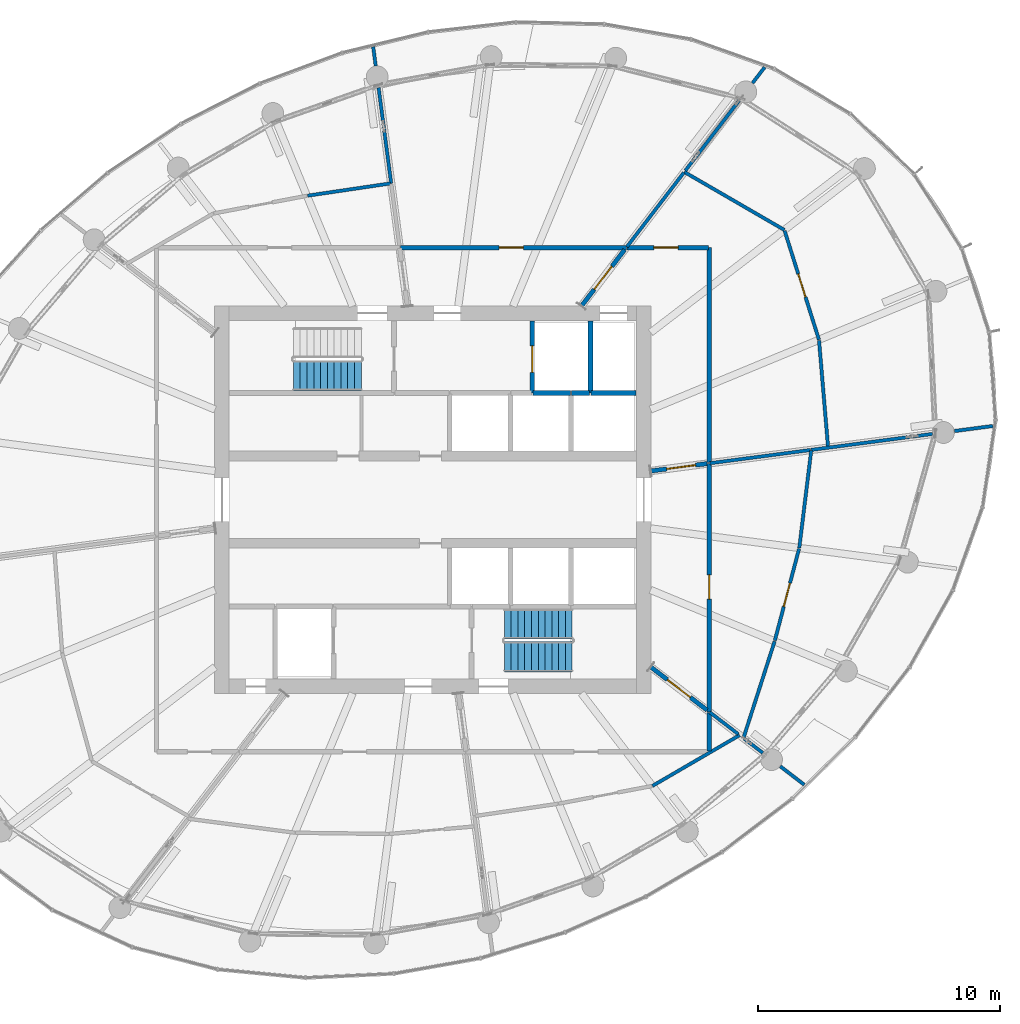
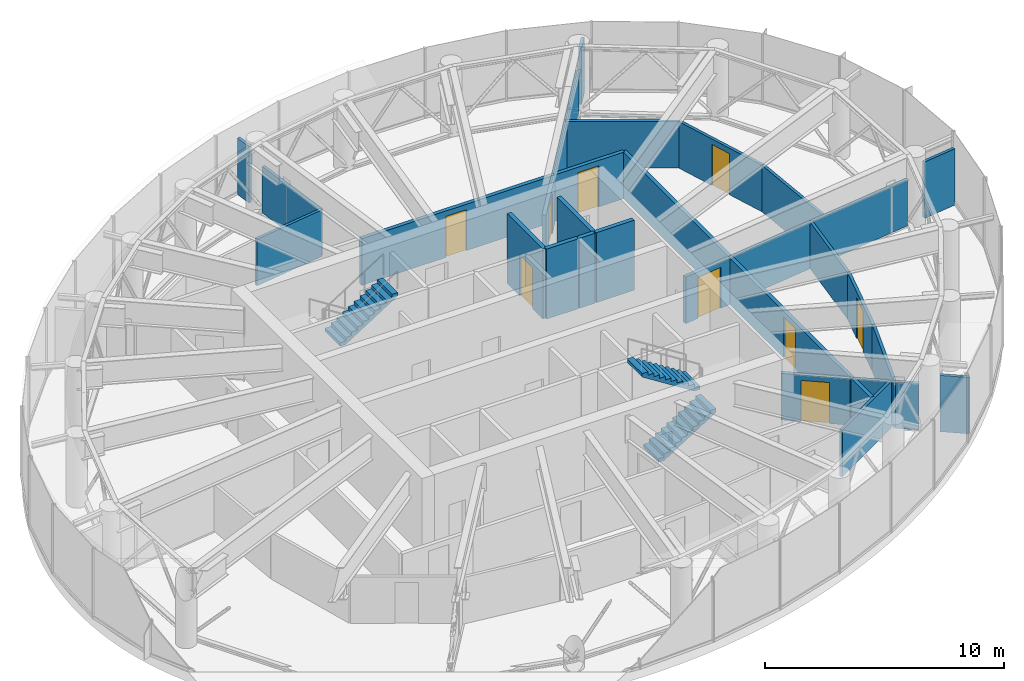
# One storey, part 18 of 26: 32 walls, 9 doors, 3 stair flights, 9 openings, 2 elements without a shape of their own.
"""IFC4 building model written with IfcOpenShell, lengths in metres."""

from ifc_helpers import new_model, si_unit, direction, frame, frame_2d, origin, place, context, subcontext, project, spatial, line, indexed_curve, rectangle, outline, extrude, source, transform, mapped, material, layer, layer_set, type_object, element, fill, aggregate, save


model = new_model("IFC4")

# Units and contexts
model_context = context("Model", 3, precision=1e-05, world=origin(), true_north=direction((0.0, 1.0)))
body_context = subcontext(model_context, "Body", "Model", "MODEL_VIEW")
ifc_project = project(units=[si_unit("LENGTHUNIT", "METRE"), si_unit("AREAUNIT", "SQUARE_METRE"), si_unit("VOLUMEUNIT", "CUBIC_METRE"), si_unit("PLANEANGLEUNIT", "RADIAN"), si_unit("MASSUNIT", "GRAM", prefix="KILO")], contexts=[model_context])

# Site, building, storey
site_placement = place(None, origin())
site = spatial("IfcSite", under=ifc_project, at=site_placement, CompositionType="ELEMENT")
building_placement = place(site_placement, origin())
building = spatial("IfcBuilding", under=site, at=building_placement, Name="Spindrift Exchange Tower", CompositionType="ELEMENT")
storey_placement = place(building_placement, frame((0.0, 0.0, 230.60009765625)))
storey = spatial("IfcBuildingStorey", under=building, at=storey_placement, Name="L56", CompositionType="ELEMENT", Elevation=230.60009765625)

# Wall, opening, door
ifc_material_1 = material(Name="Fire-rated plasterboard partition", Category="gypsum")
ifc_layer_1 = layer(ifc_material_1, 0.179931640625)
ifc_layer_set_1 = layer_set([ifc_layer_1], Name="W-CORR-180-SOFFIT")
wall_type_1 = type_object("IfcWallType", Name="W-CORR-180-SOFFIT", PredefinedType="PARTITIONING", material=ifc_layer_set_1)
wall_1_placement = place(storey_placement, frame((63.31005859375, 39.321533203125, 0.0), z_axis=(0.0, 0.0, 1.0), x_axis=(-0.793371480341, 0.608737787706, 0.0)))
wall_1 = element("IfcWall", 1, at=wall_1_placement, inside=storey, type_object=wall_type_1, Name="L56 Partition wall 39", PredefinedType="PARTITIONING", context=body_context, shape_type="SweptSolid", body=[
    extrude(rectangle(XDim=2.91162109375, YDim=0.179931640625, at=frame_2d((1.455810546875, 0.0))), origin(), (0.0, 0.0, 1.0), 2.3798828125),
])
opening_1_placement = place(wall_1_placement, frame((0.86181640625, 0.0, 0.0)))
opening_1 = element("IfcOpeningElement", 2, at=opening_1_placement, cuts=wall_1, Name="Opening L56-D33", PredefinedType="OPENING", context=body_context, shape_type="SweptSolid", body=[
    extrude(rectangle(XDim=1.199951171875, YDim=2.10009765625, at=frame_2d((0.60009765625, 1.050048828125))), frame((0.0, 0.099853515625, 0.0), z_axis=(0.0, -1.0, 0.0), x_axis=(1.0, 0.0, 0.0)), (0.0, 0.0, 1.0), 0.199951171875),
])
ifc_material_2 = material(Name="Steel fire door", Category="steel")
door_type_1 = type_object("IfcDoorType", Name="DR-PLANT-1200", OperationType="NOTDEFINED", PredefinedType="DOOR", material=ifc_material_2)
shared_shape_1 = source(origin(), body_context, "Body", "SweptSolid", [
    extrude(rectangle(XDim=1.199951171875, YDim=2.10009765625, at=frame_2d((0.60009765625, 1.050048828125))), frame((0.0, 0.02490234375, 0.0), z_axis=(0.0, -1.0, 0.0), x_axis=(1.0, 0.0, 0.0)), (0.0, 0.0, 1.0), 0.050048828125),
])
door_1_placement = place(opening_1_placement, origin())
door_1 = element("IfcDoor", 3, at=door_1_placement, inside=storey, type_object=door_type_1, Name="L56 Plant room door 33", OperationType="SINGLE_SWING_LEFT", OverallHeight=2.10009765625, OverallWidth=1.199951171875, PredefinedType="DOOR", context=body_context, shape_type="MappedRepresentation", body=[
    mapped(shared_shape_1, transform((0.0, 0.0, 0.0), scale=1.0)),
])
fill(opening_1, door_1)

wall_2_placement = place(storey_placement, frame((59.9111328125, 58.31005859375, 0.0), z_axis=(0.0, 0.0, 1.0), x_axis=(-0.608737787706, -0.793371480341, 0.0)))
wall_2 = element("IfcWall", 4, at=wall_2_placement, inside=storey, type_object=wall_type_1, Name="L56 Partition wall 40", PredefinedType="PARTITIONING", context=body_context, shape_type="SweptSolid", body=[
    extrude(rectangle(XDim=2.91162109375, YDim=0.179931640625, at=frame_2d((1.455810546875, 0.0))), origin(), (0.0, 0.0, 1.0), 2.3798828125),
])
opening_2_placement = place(wall_2_placement, frame((0.86181640625, 0.0, 0.0)))
opening_2 = element("IfcOpeningElement", 5, at=opening_2_placement, cuts=wall_2, Name="Opening L56-D27", PredefinedType="OPENING", context=body_context, shape_type="SweptSolid", body=[
    extrude(rectangle(XDim=1.199951171875, YDim=2.10009765625, at=frame_2d((0.60009765625, 1.050048828125))), frame((0.0, 0.099853515625, 0.0), z_axis=(0.0, -1.0, 0.0), x_axis=(1.0, 0.0, 0.0)), (0.0, 0.0, 1.0), 0.199951171875),
])
door_2_placement = place(opening_2_placement, origin())
door_2 = element("IfcDoor", 6, at=door_2_placement, inside=storey, type_object=door_type_1, Name="L56 Plant room door 27", OperationType="SINGLE_SWING_LEFT", OverallHeight=2.10009765625, OverallWidth=1.199951171875, PredefinedType="DOOR", context=body_context, shape_type="MappedRepresentation", body=[
    mapped(shared_shape_1, transform((0.0, 0.0, 0.0), scale=1.0)),
])
fill(opening_2, door_2)

wall_3_placement = place(storey_placement, frame((63.31005859375, 49.489013671875, 0.0), z_axis=(0.0, 0.0, 1.0), x_axis=(-0.991440737811, -0.130557509967, 0.0)))
wall_3 = element("IfcWall", 7, at=wall_3_placement, inside=storey, type_object=wall_type_1, Name="L56 Partition wall 44", PredefinedType="PARTITIONING", context=body_context, shape_type="SweptSolid", body=[
    extrude(rectangle(XDim=2.330078125, YDim=0.179931640625, at=frame_2d((1.1650390625, 0.0))), origin(), (0.0, 0.0, 1.0), 2.3798828125),
])
opening_3_placement = place(wall_3_placement, frame((0.47998046875, 0.0, 0.0)))
opening_3 = element("IfcOpeningElement", 8, at=opening_3_placement, cuts=wall_3, Name="Opening L56-D34", PredefinedType="OPENING", context=body_context, shape_type="SweptSolid", body=[
    extrude(rectangle(XDim=1.199951171875, YDim=2.10009765625, at=frame_2d((0.60009765625, 1.050048828125))), frame((0.0, 0.099853515625, 0.0), z_axis=(0.0, -1.0, 0.0), x_axis=(1.0, 0.0, 0.0)), (0.0, 0.0, 1.0), 0.199951171875),
])
door_3_placement = place(opening_3_placement, origin())
door_3 = element("IfcDoor", 9, at=door_3_placement, inside=storey, type_object=door_type_1, Name="L56 Plant room door 34", OperationType="SINGLE_SWING_RIGHT", OverallHeight=2.10009765625, OverallWidth=1.199951171875, PredefinedType="DOOR", context=body_context, shape_type="MappedRepresentation", body=[
    mapped(shared_shape_1, transform((0.0, 0.0, 0.0), scale=1.0)),
])
fill(opening_3, door_3)

# Walls
ifc_layer_2 = layer(ifc_material_1, 0.139892578125)
ifc_layer_set_2 = layer_set([ifc_layer_2], Name="W-PLANT-140")
wall_type_2 = type_object("IfcWallType", Name="W-PLANT-140", PredefinedType="PARTITIONING", material=ifc_layer_set_2)
wall_4_placement = place(storey_placement, frame((73.512939453125, 50.832275390625, 0.0), z_axis=(0.0, 0.0, 1.0), x_axis=(0.991448052913, 0.130501947779, 0.0)))
element("IfcWall", 10, at=wall_4_placement, inside=storey, type_object=wall_type_2, Name="L56 Partition wall 78", PredefinedType="PARTITIONING", context=body_context, shape_type="SweptSolid", body=[
    extrude(rectangle(XDim=1.59765625, YDim=0.139892578125, at=frame_2d((0.798828125, 0.0))), origin(), (0.0, 0.0, 1.0), 2.8798828125),
])
wall_5_placement = place(storey_placement, frame((66.33154296875, 37.0029296875, 0.0), z_axis=(0.0, 0.0, 1.0), x_axis=(0.793408114576, -0.608690039121, 0.0)))
element("IfcWall", 11, at=wall_5_placement, inside=storey, type_object=wall_type_2, Name="L56 Partition wall 82", PredefinedType="PARTITIONING", context=body_context, shape_type="SweptSolid", body=[
    extrude(rectangle(XDim=1.2490234375, YDim=0.139892578125, at=frame_2d((0.62451171875, 0.0))), origin(), (0.0, 0.0, 1.0), 2.8798828125),
])
wall_6_placement = place(storey_placement, frame((65.185546875, 65.18359375, 0.0), z_axis=(0.0, 0.0, 1.0), x_axis=(0.608636710057, 0.793449024936, 0.0)))
element("IfcWall", 12, at=wall_6_placement, inside=storey, type_object=wall_type_2, Name="L56 Partition wall 86", PredefinedType="PARTITIONING", context=body_context, shape_type="SweptSolid", body=[
    extrude(rectangle(XDim=0.82421875, YDim=0.139892578125, at=frame_2d((0.412109375, 0.0))), origin(), (0.0, 0.0, 1.0), 2.8798828125),
])
wall_7_placement = place(storey_placement, frame((49.644287109375, 65.89306640625, 0.0), z_axis=(0.0, 0.0, 1.0), x_axis=(-0.130414823496, 0.991459516981, 0.0)))
element("IfcWall", 13, at=wall_7_placement, inside=storey, type_object=wall_type_2, Name="L56 Partition wall 88", PredefinedType="PARTITIONING", context=body_context, shape_type="SweptSolid", body=[
    extrude(rectangle(XDim=0.795654296875, YDim=0.139892578125, at=frame_2d((0.39794921875, 0.0))), origin(), (0.0, 0.0, 1.0), 2.8798828125),
])
ifc_layer_3 = layer(ifc_material_1, 0.139892578125)
ifc_layer_set_3 = layer_set([ifc_layer_3], Name="W-PLANT-140-SOFFIT")
wall_type_3 = type_object("IfcWallType", Name="W-PLANT-140-SOFFIT", PredefinedType="PARTITIONING", material=ifc_layer_set_3)
wall_8_placement = place(storey_placement, frame((67.61083984375, 50.05517578125, 0.0), z_axis=(0.0, 0.0, 1.0), x_axis=(0.991443419201, 0.130537146143, 0.0)))
element("IfcWall", 14, at=wall_8_placement, inside=storey, type_object=wall_type_3, Name="L56 Partition wall 48", PredefinedType="PARTITIONING", context=body_context, shape_type="SweptSolid", body=[
    extrude(rectangle(XDim=5.044189453125, YDim=0.139892578125, at=frame_2d((2.52197265625, 0.0))), origin(), (0.0, 0.0, 1.0), 2.3798828125),
])
wall_9_placement = place(storey_placement, frame((63.4296875, 49.5048828125, 0.0), z_axis=(0.0, 0.0, 1.0), x_axis=(0.991450524652, 0.130483168137, 0.0)))
element("IfcWall", 15, at=wall_9_placement, inside=storey, type_object=wall_type_3, Name="L56 Partition wall 49", PredefinedType="PARTITIONING", context=body_context, shape_type="SweptSolid", body=[
    extrude(rectangle(XDim=4.1875, YDim=0.139892578125, at=frame_2d((2.09375, 0.0))), origin(), (0.0, 0.0, 1.0), 2.3798828125),
])
wall_10_placement = place(storey_placement, frame((66.50048828125, 59.126708984375, 0.0), z_axis=(0.0, 0.0, 1.0), x_axis=(-0.865241683045, 0.501354993914, 0.0)))
element("IfcWall", 16, at=wall_10_placement, inside=storey, type_object=wall_type_3, Name="L56 Partition wall 50", PredefinedType="PARTITIONING", context=body_context, shape_type="SweptSolid", body=[
    extrude(rectangle(XDim=4.770263671875, YDim=0.139892578125, at=frame_2d((2.38525390625, 0.0))), origin(), (0.0, 0.0, 1.0), 2.3798828125),
])

# Wall, opening, door
wall_11_placement = place(storey_placement, frame((66.509521484375, 59.09814453125, 0.0), z_axis=(0.0, 0.0, 1.0), x_axis=(0.300539528674, -0.953769359806, 0.0)))
wall_11 = element("IfcWall", 17, at=wall_11_placement, inside=storey, type_object=wall_type_3, Name="L56 Partition wall 51", PredefinedType="PARTITIONING", context=body_context, shape_type="SweptSolid", body=[
    extrude(rectangle(XDim=4.718994140625, YDim=0.139892578125, at=frame_2d((2.359375, 0.0))), origin(), (0.0, 0.0, 1.0), 2.3798828125),
])
opening_4_placement = place(wall_11_placement, frame((1.868896484375, 0.0, 0.0)))
opening_4 = element("IfcOpeningElement", 18, at=opening_4_placement, cuts=wall_11, Name="Opening L56-D14", PredefinedType="OPENING", context=body_context, shape_type="SweptSolid", body=[
    extrude(rectangle(XDim=1.0, YDim=2.10009765625, at=frame_2d((0.5, 1.050048828125))), frame((0.0, 0.079833984375, 0.0), z_axis=(0.0, -1.0, 0.0), x_axis=(1.0, 0.0, 0.0)), (0.0, 0.0, 1.0), 0.159912109375),
])
ifc_material_3 = material(Name="Timber-core fire door", Category="wood")
door_type_2 = type_object("IfcDoorType", Name="DR-ROOM-1000", OperationType="NOTDEFINED", PredefinedType="DOOR", material=ifc_material_3)
shared_shape_2 = source(origin(), body_context, "Body", "SweptSolid", [
    extrude(rectangle(XDim=1.0, YDim=2.10009765625, at=frame_2d((0.5, 1.050048828125))), frame((0.0, 0.02490234375, 0.0), z_axis=(0.0, -1.0, 0.0), x_axis=(1.0, 0.0, 0.0)), (0.0, 0.0, 1.0), 0.050048828125),
])
door_4_placement = place(opening_4_placement, origin())
door_4 = element("IfcDoor", 19, at=door_4_placement, inside=storey, type_object=door_type_2, Name="L56 Door 14", OperationType="SINGLE_SWING_RIGHT", OverallHeight=2.10009765625, OverallWidth=1.0, PredefinedType="DOOR", context=body_context, shape_type="MappedRepresentation", body=[
    mapped(shared_shape_2, transform((0.0, 0.0, 0.0), scale=1.0)),
])
fill(opening_4, door_4)

# Walls
wall_12_placement = place(storey_placement, frame((68.29833984375, 50.21630859375, 0.0), z_axis=(0.0, 0.0, 1.0), x_axis=(-0.084308537488, 0.996439697376, 0.0)))
element("IfcWall", 20, at=wall_12_placement, inside=storey, type_object=wall_type_3, Name="L56 Partition wall 54", PredefinedType="PARTITIONING", context=body_context, shape_type="SweptSolid", body=[
    extrude(rectangle(XDim=4.366943359375, YDim=0.139892578125, at=frame_2d((2.18359375, 0.0))), origin(), (0.0, 0.0, 1.0), 2.3798828125),
])
wall_13_placement = place(storey_placement, frame((64.81201171875, 38.1689453125, 0.0), z_axis=(0.0, 0.0, 1.0), x_axis=(0.306815660153, 0.951768958668, 0.0)))
element("IfcWall", 21, at=wall_13_placement, inside=storey, type_object=wall_type_3, Name="L56 Partition wall 58", PredefinedType="PARTITIONING", context=body_context, shape_type="SweptSolid", body=[
    extrude(rectangle(XDim=4.193359375, YDim=0.139892578125, at=frame_2d((2.0966796875, 0.0))), origin(), (0.0, 0.0, 1.0), 2.3798828125),
])
wall_14_placement = place(storey_placement, frame((61.05810546875, 36.195068359375, 0.0), z_axis=(0.0, 0.0, 1.0), x_axis=(0.864208311026, 0.503134172118, 0.0)))
element("IfcWall", 22, at=wall_14_placement, inside=storey, type_object=wall_type_3, Name="L56 Partition wall 60", PredefinedType="PARTITIONING", context=body_context, shape_type="SweptSolid", body=[
    extrude(rectangle(XDim=4.162353515625, YDim=0.139892578125, at=frame_2d((2.0810546875, 0.0))), origin(), (0.0, 0.0, 1.0), 2.3798828125),
])
wall_15_placement = place(storey_placement, frame((67.114990234375, 46.010009765625, 0.0), z_axis=(0.0, 0.0, 1.0), x_axis=(0.121724415308, 0.992563935834, 0.0)))
element("IfcWall", 23, at=wall_15_placement, inside=storey, type_object=wall_type_3, Name="L56 Partition wall 61", PredefinedType="PARTITIONING", context=body_context, shape_type="SweptSolid", body=[
    extrude(rectangle(XDim=4.04541015625, YDim=0.139892578125, at=frame_2d((2.022705078125, 0.0))), origin(), (0.0, 0.0, 1.0), 2.3798828125),
])

# Wall, opening, door
wall_16_placement = place(storey_placement, frame((67.107421875, 45.981201171875, 0.0), z_axis=(0.0, 0.0, 1.0), x_axis=(-0.255286819114, -0.966865368077, 0.0)))
wall_16 = element("IfcWall", 24, at=wall_16_placement, inside=storey, type_object=wall_type_3, Name="L56 Partition wall 62", PredefinedType="PARTITIONING", context=body_context, shape_type="SweptSolid", body=[
    extrude(rectangle(XDim=3.921875, YDim=0.139892578125, at=frame_2d((1.9609375, 0.0))), origin(), (0.0, 0.0, 1.0), 2.3798828125),
])
opening_5_placement = place(wall_16_placement, frame((1.471923828125, 0.0, 0.0)))
opening_5 = element("IfcOpeningElement", 25, at=opening_5_placement, cuts=wall_16, Name="Opening L56-D26", PredefinedType="OPENING", context=body_context, shape_type="SweptSolid", body=[
    extrude(rectangle(XDim=1.0, YDim=2.10009765625, at=frame_2d((0.5, 1.050048828125))), frame((0.0, 0.079833984375, 0.0), z_axis=(0.0, -1.0, 0.0), x_axis=(1.0, 0.0, 0.0)), (0.0, 0.0, 1.0), 0.159912109375),
])
door_5_placement = place(opening_5_placement, origin())
door_5 = element("IfcDoor", 26, at=door_5_placement, inside=storey, type_object=door_type_2, Name="L56 Door 26", OperationType="SINGLE_SWING_RIGHT", OverallHeight=2.10009765625, OverallWidth=1.0, PredefinedType="DOOR", context=body_context, shape_type="MappedRepresentation", body=[
    mapped(shared_shape_2, transform((0.0, 0.0, 0.0), scale=1.0)),
])
fill(opening_5, door_5)

# Walls
wall_17_placement = place(storey_placement, frame((50.281982421875, 61.05029296875, 0.0), z_axis=(0.0, 0.0, 1.0), x_axis=(-0.130554588204, 0.991441122558, 0.0)))
element("IfcWall", 27, at=wall_17_placement, inside=storey, type_object=wall_type_3, Name="L56 Partition wall 64", PredefinedType="PARTITIONING", context=body_context, shape_type="SweptSolid", body=[
    extrude(rectangle(XDim=3.9755859375, YDim=0.139892578125, at=frame_2d((1.98779296875, 0.0))), origin(), (0.0, 0.0, 1.0), 2.3798828125),
])
wall_18_placement = place(storey_placement, frame((60.00244140625, 58.428955078125, 0.0), z_axis=(0.0, 0.0, 1.0), x_axis=(0.608748505227, 0.79336325689, 0.0)))
element("IfcWall", 28, at=wall_18_placement, inside=storey, type_object=wall_type_3, Name="L56 Partition wall 67", PredefinedType="PARTITIONING", context=body_context, shape_type="SweptSolid", body=[
    extrude(rectangle(XDim=3.8642578125, YDim=0.139892578125, at=frame_2d((1.93212890625, 0.0))), origin(), (0.0, 0.0, 1.0), 2.3798828125),
])
wall_19_placement = place(storey_placement, frame((62.416015625, 61.574462890625, 0.0), z_axis=(0.0, 0.0, 1.0), x_axis=(0.608773631009, 0.793343977218, 0.0)))
element("IfcWall", 29, at=wall_19_placement, inside=storey, type_object=wall_type_3, Name="L56 Partition wall 69", PredefinedType="PARTITIONING", context=body_context, shape_type="SweptSolid", body=[
    extrude(rectangle(XDim=3.64013671875, YDim=0.139892578125, at=frame_2d((1.820068359375, 0.0))), origin(), (0.0, 0.0, 1.0), 2.3798828125),
])
wall_20_placement = place(storey_placement, frame((50.252197265625, 61.0458984375, 0.0), z_axis=(0.0, 0.0, 1.0), x_axis=(-0.989248976664, -0.146241109711, 0.0)))
element("IfcWall", 30, at=wall_20_placement, inside=storey, type_object=wall_type_3, Name="L56 Partition wall 72", PredefinedType="PARTITIONING", context=body_context, shape_type="SweptSolid", body=[
    extrude(rectangle(XDim=3.452392578125, YDim=0.139892578125, at=frame_2d((1.72607421875, 0.0))), origin(), (0.0, 0.0, 1.0), 2.3798828125),
])
wall_21_placement = place(storey_placement, frame((63.428955078125, 39.230224609375, 0.0), z_axis=(0.0, 0.0, 1.0), x_axis=(0.793395131444, -0.608706961847, 0.0)))
element("IfcWall", 31, at=wall_21_placement, inside=storey, type_object=wall_type_3, Name="L56 Partition wall 77", PredefinedType="PARTITIONING", context=body_context, shape_type="SweptSolid", body=[
    extrude(rectangle(XDim=1.469970703125, YDim=0.139892578125, at=frame_2d((0.73486328125, 0.0))), origin(), (0.0, 0.0, 1.0), 2.3798828125),
])
wall_22_placement = place(storey_placement, frame((64.8359375, 38.150634765625, 0.0), z_axis=(0.0, 0.0, 1.0), x_axis=(0.793348654177, -0.608767536023, 0.0)))
element("IfcWall", 32, at=wall_22_placement, inside=storey, type_object=wall_type_3, Name="L56 Partition wall 83", PredefinedType="PARTITIONING", context=body_context, shape_type="SweptSolid", body=[
    extrude(rectangle(XDim=0.97607421875, YDim=0.139892578125, at=frame_2d((0.488037109375, 0.0))), origin(), (0.0, 0.0, 1.0), 2.3798828125),
])

# Wall, opening, door
ifc_layer_4 = layer(ifc_material_1, 0.179931640625)
ifc_layer_set_4 = layer_set([ifc_layer_4], Name="W-PLANT-180-SOFFIT")
wall_type_4 = type_object("IfcWallType", Name="W-PLANT-180-SOFFIT", PredefinedType="PARTITIONING", material=ifc_layer_set_4)
wall_23_placement = place(storey_placement, frame((63.39990234375, 49.500732421875, 0.0), z_axis=(0.0, 0.0, 1.0), x_axis=(0.0, -1.0, 0.0)))
wall_23 = element("IfcWall", 33, at=wall_23_placement, inside=storey, type_object=wall_type_4, Name="L56 Partition wall 28", PredefinedType="PARTITIONING", context=body_context, shape_type="SweptSolid", body=[
    extrude(rectangle(XDim=10.248291015625, YDim=0.179931640625, at=frame_2d((5.1240234375, 0.0))), origin(), (0.0, 0.0, 1.0), 2.3798828125),
])
opening_6_placement = place(wall_23_placement, frame((4.598388671875, 0.0, 0.0)))
opening_6 = element("IfcOpeningElement", 34, at=opening_6_placement, cuts=wall_23, Name="Opening L56-D25", PredefinedType="OPENING", context=body_context, shape_type="SweptSolid", body=[
    extrude(rectangle(XDim=1.0, YDim=2.10009765625, at=frame_2d((0.5, 1.050048828125))), frame((0.0, 0.099853515625, 0.0), z_axis=(0.0, -1.0, 0.0), x_axis=(1.0, 0.0, 0.0)), (0.0, 0.0, 1.0), 0.199951171875),
])
door_6_placement = place(opening_6_placement, origin())
door_6 = element("IfcDoor", 35, at=door_6_placement, inside=storey, type_object=door_type_2, Name="L56 Door 25", OperationType="SINGLE_SWING_LEFT", OverallHeight=2.10009765625, OverallWidth=1.0, PredefinedType="DOOR", context=body_context, shape_type="MappedRepresentation", body=[
    mapped(shared_shape_2, transform((0.0, 0.0, 0.0), scale=1.0)),
])
fill(opening_6, door_6)

wall_24_placement = place(storey_placement, frame((50.660888671875, 58.39990234375, 0.0), z_axis=(0.0, 0.0, 1.0), x_axis=(1.0, 0.0, 0.0)))
wall_24 = element("IfcWall", 36, at=wall_24_placement, inside=storey, type_object=wall_type_4, Name="L56 Partition wall 32", PredefinedType="PARTITIONING", context=body_context, shape_type="SweptSolid", body=[
    extrude(rectangle(XDim=9.3193359375, YDim=0.179931640625, at=frame_2d((4.65966796875, 0.0))), origin(), (0.0, 0.0, 1.0), 2.3798828125),
])
opening_7_placement = place(wall_24_placement, frame((4.0693359375, 0.0, 0.0)))
opening_7 = element("IfcOpeningElement", 37, at=opening_7_placement, cuts=wall_24, Name="Opening L56-D15", PredefinedType="OPENING", context=body_context, shape_type="SweptSolid", body=[
    extrude(rectangle(XDim=1.0, YDim=2.10009765625, at=frame_2d((0.5, 1.050048828125))), frame((0.0, 0.099853515625, 0.0), z_axis=(0.0, -1.0, 0.0), x_axis=(1.0, 0.0, 0.0)), (0.0, 0.0, 1.0), 0.199951171875),
])
door_7_placement = place(opening_7_placement, origin())
door_7 = element("IfcDoor", 38, at=door_7_placement, inside=storey, type_object=door_type_2, Name="L56 Door 15", OperationType="SINGLE_SWING_LEFT", OverallHeight=2.10009765625, OverallWidth=1.0, PredefinedType="DOOR", context=body_context, shape_type="MappedRepresentation", body=[
    mapped(shared_shape_2, transform((0.0, 0.0, 0.0), scale=1.0)),
])
fill(opening_7, door_7)

# Wall
wall_25_placement = place(storey_placement, frame((63.39990234375, 49.53076171875, 0.0), z_axis=(0.0, 0.0, 1.0), x_axis=(0.0, 1.0, 0.0)))
element("IfcWall", 39, at=wall_25_placement, inside=storey, type_object=wall_type_4, Name="L56 Partition wall 34", PredefinedType="PARTITIONING", context=body_context, shape_type="SweptSolid", body=[
    extrude(rectangle(XDim=8.869140625, YDim=0.179931640625, at=frame_2d((4.4345703125, 0.0))), origin(), (0.0, 0.0, 1.0), 2.3798828125),
])

# Wall, opening, door
wall_26_placement = place(storey_placement, frame((60.01025390625, 58.39990234375, 0.0), z_axis=(0.0, 0.0, 1.0), x_axis=(1.0, 0.0, 0.0)))
wall_26 = element("IfcWall", 40, at=wall_26_placement, inside=storey, type_object=wall_type_4, Name="L56 Partition wall 35", PredefinedType="PARTITIONING", context=body_context, shape_type="SweptSolid", body=[
    extrude(rectangle(XDim=3.35986328125, YDim=0.179931640625, at=frame_2d((1.679931640625, 0.0))), origin(), (0.0, 0.0, 1.0), 2.3798828125),
])
opening_8_placement = place(wall_26_placement, frame((1.10986328125, 0.0, 0.0)))
opening_8 = element("IfcOpeningElement", 41, at=opening_8_placement, cuts=wall_26, Name="Opening L56-D13", PredefinedType="OPENING", context=body_context, shape_type="SweptSolid", body=[
    extrude(rectangle(XDim=1.0, YDim=2.10009765625, at=frame_2d((0.5, 1.050048828125))), frame((0.0, 0.099853515625, 0.0), z_axis=(0.0, -1.0, 0.0), x_axis=(1.0, 0.0, 0.0)), (0.0, 0.0, 1.0), 0.199951171875),
])
door_8_placement = place(opening_8_placement, origin())
door_8 = element("IfcDoor", 42, at=door_8_placement, inside=storey, type_object=door_type_2, Name="L56 Door 13", OperationType="SINGLE_SWING_LEFT", OverallHeight=2.10009765625, OverallWidth=1.0, PredefinedType="DOOR", context=body_context, shape_type="MappedRepresentation", body=[
    mapped(shared_shape_2, transform((0.0, 0.0, 0.0), scale=1.0)),
])
fill(opening_8, door_8)

# Wall
wall_27_placement = place(storey_placement, frame((63.39990234375, 37.6298828125, 0.0), z_axis=(0.0, 0.0, 1.0), x_axis=(0.0, 1.0, 0.0)))
element("IfcWall", 43, at=wall_27_placement, inside=storey, type_object=wall_type_4, Name="L56 Partition wall 46", PredefinedType="PARTITIONING", context=body_context, shape_type="SweptSolid", body=[
    extrude(rectangle(XDim=1.592529296875, YDim=0.179931640625, at=frame_2d((0.79638671875, 0.0))), origin(), (0.0, 0.0, 1.0), 2.3798828125),
])

# Wall, opening, door
ifc_material_4 = material(Name="Concrete 40 MPa", Category="concrete")
ifc_layer_5 = layer(ifc_material_4, 0.199951171875)
ifc_layer_set_5 = layer_set([ifc_layer_5], Name="W-SHAFT-200")
wall_type_5 = type_object("IfcWallType", Name="W-SHAFT-200", PredefinedType="SOLIDWALL", material=ifc_layer_set_5)
wall_28_placement = place(storey_placement, frame((56.10009765625, 55.3798828125, 0.0), z_axis=(0.0, 0.0, 1.0), x_axis=(0.0, -1.0, 0.0)))
wall_28 = element("IfcWall", 44, at=wall_28_placement, inside=storey, type_object=wall_type_5, Name="L56 Shaft wall 7", PredefinedType="SOLIDWALL", context=body_context, shape_type="SweptSolid", body=[
    extrude(rectangle(XDim=2.97998046875, YDim=0.199951171875, at=frame_2d((1.489990234375, 0.0))), origin(), (0.0, 0.0, 1.0), 3.579833984375),
])
opening_9_placement = place(wall_28_placement, frame((1.030029296875, 0.0, 0.0)))
opening_9 = element("IfcOpeningElement", 45, at=opening_9_placement, cuts=wall_28, Name="Opening L56-D3", PredefinedType="OPENING", context=body_context, shape_type="SweptSolid", body=[
    extrude(rectangle(XDim=1.10009765625, YDim=2.10009765625, at=frame_2d((0.550048828125, 1.050048828125))), frame((0.0, 0.10986328125, 0.0), z_axis=(0.0, -1.0, 0.0), x_axis=(1.0, 0.0, 0.0)), (0.0, 0.0, 1.0), 0.219970703125),
])
ifc_material_5 = material(Name="Stainless steel landing door", Category="steel")
door_type_3 = type_object("IfcDoorType", Name="DR-LANDING-1100-SL", OperationType="DOUBLE_DOOR_SLIDING", PredefinedType="USERDEFINED", material=ifc_material_5)
shared_shape_3 = source(origin(), body_context, "Body", "SweptSolid", [
    extrude(rectangle(XDim=1.10009765625, YDim=2.10009765625, at=frame_2d((0.550048828125, 1.050048828125))), frame((0.0, 0.02490234375, 0.0), z_axis=(0.0, -1.0, 0.0), x_axis=(1.0, 0.0, 0.0)), (0.0, 0.0, 1.0), 0.050048828125),
])
door_9_placement = place(opening_9_placement, origin())
door_9 = element("IfcDoor", 46, at=door_9_placement, inside=storey, type_object=door_type_3, Name="L56 Lift landing door 3", ObjectType="LANDING DOOR", OperationType="DOUBLE_DOOR_SLIDING", OverallHeight=2.10009765625, OverallWidth=1.10009765625, PredefinedType="USERDEFINED", context=body_context, shape_type="MappedRepresentation", body=[
    mapped(shared_shape_3, transform((0.0, 0.0, 0.0), scale=1.0)),
])
fill(opening_9, door_9)

# Walls
wall_29_placement = place(storey_placement, frame((58.5, 52.39990234375, 0.0), z_axis=(0.0, 0.0, 1.0), x_axis=(0.0, 1.0, 0.0)))
element("IfcWall", 47, at=wall_29_placement, inside=storey, type_object=wall_type_5, Name="L56 Shaft wall 8", PredefinedType="SOLIDWALL", context=body_context, shape_type="SweptSolid", body=[
    extrude(rectangle(XDim=2.97998046875, YDim=0.199951171875, at=frame_2d((1.489990234375, 0.0))), origin(), (0.0, 0.0, 1.0), 3.579833984375),
])
wall_30_placement = place(storey_placement, frame((60.3798828125, 52.39990234375, 0.0), z_axis=(0.0, 0.0, 1.0), x_axis=(-1.0, 0.0, 0.0)))
element("IfcWall", 48, at=wall_30_placement, inside=storey, type_object=wall_type_5, Name="L56 Shaft wall 21", PredefinedType="SOLIDWALL", context=body_context, shape_type="SweptSolid", body=[
    extrude(rectangle(XDim=1.849853515625, YDim=0.199951171875, at=frame_2d((0.9248046875, 0.0))), origin(), (0.0, 0.0, 1.0), 3.579833984375),
])
wall_31_placement = place(storey_placement, frame((57.669921875, 52.39990234375, 0.0), z_axis=(0.0, 0.0, 1.0), x_axis=(-1.0, 0.0, 0.0)))
element("IfcWall", 49, at=wall_31_placement, inside=storey, type_object=wall_type_5, Name="L56 Shaft wall 23", PredefinedType="SOLIDWALL", context=body_context, shape_type="SweptSolid", body=[
    extrude(rectangle(XDim=1.5400390625, YDim=0.199951171875, at=frame_2d((0.77001953125, 0.0))), origin(), (0.0, 0.0, 1.0), 3.579833984375),
])
wall_32_placement = place(storey_placement, frame((58.469970703125, 52.39990234375, 0.0), z_axis=(0.0, 0.0, 1.0), x_axis=(-1.0, 0.0, 0.0)))
element("IfcWall", 50, at=wall_32_placement, inside=storey, type_object=wall_type_5, Name="L56 Shaft wall 26", PredefinedType="SOLIDWALL", context=body_context, shape_type="SweptSolid", body=[
    extrude(rectangle(XDim=0.739990234375, YDim=0.199951171875, at=frame_2d((0.3701171875, 0.0))), origin(), (0.0, 0.0, 1.0), 3.579833984375),
])

# Stair, stair flight
ifc_material_6 = material(Name="Concrete 50 MPa", Category="concrete")
stair_type = type_object("IfcStairType", Name="ST-1250-R177", PredefinedType="HALF_TURN_STAIR", material=ifc_material_6)
stair_1_placement = place(storey_placement, origin())
stair_1 = element("IfcStair", 51, at=stair_1_placement, inside=storey, type_object=stair_type, Name="L56 Exit stair ST1", PredefinedType="HALF_TURN_STAIR")
stair_flight_type = type_object("IfcStairFlightType", Name="STF-1250-R177", PredefinedType="STRAIGHT", material=ifc_material_6)
stair_flight_1_placement = place(storey_placement, frame((46.25, 53.125, 1.949951171875), z_axis=(0.0, 0.0, 1.0), x_axis=(1.0, 0.0, 0.0)))
stair_flight_1 = element("IfcStairFlight", 52, at=stair_flight_1_placement, type_object=stair_flight_type, Name="ST1 flight 2", NumberOfRisers=11, NumberOfTreads=10, PredefinedType="STRAIGHT", RiserHeight=0.177272727, TreadLength=0.28, context=body_context, shape_type="SweptSolid", body=[
    extrude(outline(indexed_curve([(0.0, 0.0), (0.0, 0.177734375), (0.2802734375, 0.177734375), (0.2802734375, 0.3544921875), (0.5595703125, 0.3544921875), (0.5595703125, 0.5322265625), (0.83984375, 0.5322265625), (0.83984375, 0.708984375), (1.1201171875, 0.708984375), (1.1201171875, 0.88671875), (1.400390625, 0.88671875), (1.400390625, 1.0634765625), (1.6796875, 1.0634765625), (1.6796875, 1.2412109375), (1.9599609375, 1.2412109375), (1.9599609375, 1.41796875), (2.240234375, 1.41796875), (2.240234375, 1.595703125), (2.51953125, 1.595703125), (2.51953125, 1.7724609375), (2.7998046875, 1.7724609375), (2.7998046875, 1.9501953125), (2.7998046875, 1.595703125), (0.2802734375, 0.0)], segments=[line(1, 2, 3, 4, 5, 6, 7, 8, 9, 10, 11, 12, 13, 14, 15, 16, 17, 18, 19, 20, 21, 22, 23, 24, 1)], self_intersect=False)), frame((0.0, 0.625, 0.0), z_axis=(0.0, -1.0, 0.0), x_axis=(1.0, 0.0, 0.0)), (0.0, 0.0, 1.0), 1.25),
])
aggregate(stair_1, [stair_flight_1])

# Stair, stair flights
stair_2_placement = place(storey_placement, origin())
stair_2 = element("IfcStair", 53, at=stair_2_placement, inside=storey, type_object=stair_type, Name="L56 Exit stair ST2", PredefinedType="HALF_TURN_STAIR")
stair_flight_2_placement = place(storey_placement, frame((54.949951171875, 41.52490234375, 0.0), z_axis=(0.0, 0.0, 1.0), x_axis=(1.0, 0.0, 0.0)))
stair_flight_2 = element("IfcStairFlight", 54, at=stair_flight_2_placement, type_object=stair_flight_type, Name="ST2 flight 1", NumberOfRisers=11, NumberOfTreads=10, PredefinedType="STRAIGHT", RiserHeight=0.177272727, TreadLength=0.28, context=body_context, shape_type="SweptSolid", body=[
    extrude(outline(indexed_curve([(0.0, 0.0), (0.0, 0.177734375), (0.2802734375, 0.177734375), (0.2802734375, 0.3544921875), (0.5595703125, 0.3544921875), (0.5595703125, 0.5322265625), (0.83984375, 0.5322265625), (0.83984375, 0.708984375), (1.1201171875, 0.708984375), (1.1201171875, 0.88671875), (1.400390625, 0.88671875), (1.400390625, 1.0634765625), (1.6796875, 1.0634765625), (1.6796875, 1.2412109375), (1.9599609375, 1.2412109375), (1.9599609375, 1.41796875), (2.240234375, 1.41796875), (2.240234375, 1.595703125), (2.51953125, 1.595703125), (2.51953125, 1.7724609375), (2.7998046875, 1.7724609375), (2.7998046875, 1.9501953125), (2.7998046875, 1.595703125), (0.2802734375, 0.0)], segments=[line(1, 2, 3, 4, 5, 6, 7, 8, 9, 10, 11, 12, 13, 14, 15, 16, 17, 18, 19, 20, 21, 22, 23, 24, 1)], self_intersect=False)), frame((0.0, 0.625, 0.0), z_axis=(0.0, -1.0, 0.0), x_axis=(1.0, 0.0, 0.0)), (0.0, 0.0, 1.0), 1.25),
])
stair_flight_3_placement = place(storey_placement, frame((57.75, 42.875, 1.949951171875), z_axis=(0.0, 0.0, 1.0), x_axis=(-1.0, 0.0, 0.0)))
stair_flight_3 = element("IfcStairFlight", 55, at=stair_flight_3_placement, type_object=stair_flight_type, Name="ST2 flight 2", NumberOfRisers=11, NumberOfTreads=10, PredefinedType="STRAIGHT", RiserHeight=0.177272727, TreadLength=0.28, context=body_context, shape_type="SweptSolid", body=[
    extrude(outline(indexed_curve([(0.0, 0.0), (0.0, 0.177734375), (0.2802734375, 0.177734375), (0.2802734375, 0.3544921875), (0.5595703125, 0.3544921875), (0.5595703125, 0.5322265625), (0.83984375, 0.5322265625), (0.83984375, 0.708984375), (1.1201171875, 0.708984375), (1.1201171875, 0.88671875), (1.400390625, 0.88671875), (1.400390625, 1.0634765625), (1.6796875, 1.0634765625), (1.6796875, 1.2412109375), (1.9599609375, 1.2412109375), (1.9599609375, 1.41796875), (2.240234375, 1.41796875), (2.240234375, 1.595703125), (2.51953125, 1.595703125), (2.51953125, 1.7724609375), (2.7998046875, 1.7724609375), (2.7998046875, 1.9501953125), (2.7998046875, 1.595703125), (0.2802734375, 0.0)], segments=[line(1, 2, 3, 4, 5, 6, 7, 8, 9, 10, 11, 12, 13, 14, 15, 16, 17, 18, 19, 20, 21, 22, 23, 24, 1)], self_intersect=False)), frame((0.0, 0.625, 0.0), z_axis=(0.0, -1.0, 0.0), x_axis=(1.0, 0.0, 0.0)), (0.0, 0.0, 1.0), 1.25),
])
aggregate(stair_2, [stair_flight_2, stair_flight_3])

save(model, "model.ifc")
